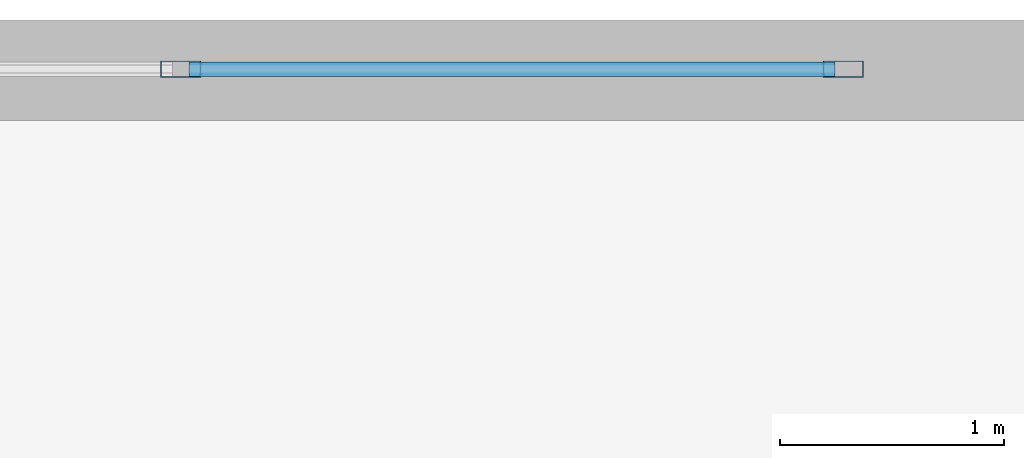
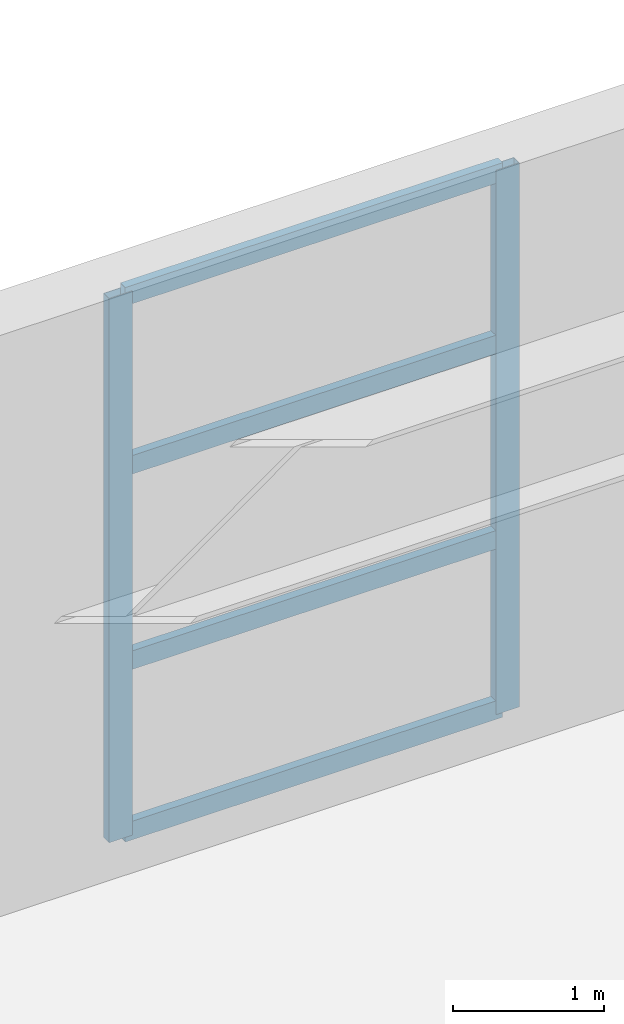
# One storey, part 20 of 35: 6 members, 1 element without a shape of its own.
"""IFC4 building model written with IfcOpenShell, lengths in metres."""

from ifc_helpers import new_model, si_unit, direction, frame, origin, origin_2d, place, context, subcontext, project, spatial, hollow_rectangle, extrude, material, layer, layer_set, material_profile, profile_set, type_object, element, aggregate, save


model = new_model("IFC4")

# Units and contexts
model_context = context("Model", 3, precision=1e-05, world=origin(), true_north=direction((0.0, 1.0)))
body_context = subcontext(model_context, "Body", "Model", "MODEL_VIEW")
ifc_project = project(units=[si_unit("LENGTHUNIT", "METRE"), si_unit("AREAUNIT", "SQUARE_METRE"), si_unit("VOLUMEUNIT", "CUBIC_METRE"), si_unit("PLANEANGLEUNIT", "RADIAN"), si_unit("MASSUNIT", "GRAM", prefix="KILO")], contexts=[model_context])

# Site, building, storey
site_placement = place(None, origin())
site = spatial("IfcSite", under=ifc_project, at=site_placement, CompositionType="ELEMENT")
building_placement = place(site_placement, origin())
building = spatial("IfcBuilding", under=site, at=building_placement, Name="Qiaolan Cultural Towers", CompositionType="ELEMENT")
storey_placement = place(building_placement, frame((0.0, 0.0, 11.5)))
storey = spatial("IfcBuildingStorey", under=building, at=storey_placement, Name="L02", CompositionType="ELEMENT", Elevation=11.5)

# Curtain wall, members
ifc_material_1 = material(Name="Unitized Anodized Aluminium Curtain Wall System", Category="aluminium")
ifc_layer = layer(ifc_material_1, 0.199951171875)
ifc_layer_set = layer_set([ifc_layer], Name="Unitized Anodized Aluminium Curtain Wall System")
curtain_wall_type = type_object("IfcCurtainWallType", Name="CWS-01", PredefinedType="NOTDEFINED", material=ifc_layer_set)
curtain_wall_placement = place(storey_placement, origin())
curtain_wall = element("IfcCurtainWall", 1, at=curtain_wall_placement, inside=storey, type_object=curtain_wall_type, Name="L02 North Atrium Curtain Wall", PredefinedType="NOTDEFINED")
ifc_material_2 = material(Name="Extruded Aluminium 6063-T6", Category="aluminium")
ifc_material_profile_1 = material_profile(ifc_material_2, hollow_rectangle(XDim=0.074951171875, YDim=0.179931640625, WallThickness=0.00390625, at=origin_2d()), Name="CWM-180x75x4")
ifc_profile_set_1 = profile_set([ifc_material_profile_1], Name="Extruded Aluminium 6063-T6")
member_type_1 = type_object("IfcMemberType", Name="CWS-01-MUL", PredefinedType="MULLION", material=ifc_profile_set_1)
member_1_placement = place(storey_placement, frame((59.0, 67.780029296875, 0.14990234375), z_axis=(0.0, 0.0, 1.0), x_axis=(0.0, 1.0, 0.0)))
member_1 = element("IfcMember", 2, at=member_1_placement, type_object=member_type_1, Name="CW-1 mullion 4", PredefinedType="MULLION", context=body_context, shape_type="SweptSolid", body=[
    extrude(hollow_rectangle(XDim=0.074951171875, YDim=0.179931640625, WallThickness=0.00390625, at=origin_2d()), origin(), (0.0, 0.0, 1.0), 4.400146484375),
])
member_2_placement = place(storey_placement, frame((61.96240234375, 67.780029296875, 0.14990234375), z_axis=(0.0, 0.0, 1.0), x_axis=(0.0, 1.0, 0.0)))
member_2 = element("IfcMember", 3, at=member_2_placement, type_object=member_type_1, Name="CW-1 mullion 5", PredefinedType="MULLION", context=body_context, shape_type="SweptSolid", body=[
    extrude(hollow_rectangle(XDim=0.074951171875, YDim=0.179931640625, WallThickness=0.00390625, at=origin_2d()), origin(), (0.0, 0.0, 1.0), 4.400146484375),
])
ifc_material_3 = material(Name="Extruded Aluminium 6063-T6", Category="aluminium")
ifc_material_profile_2 = material_profile(ifc_material_3, hollow_rectangle(XDim=0.06494140625, YDim=0.14990234375, WallThickness=0.00390625, at=origin_2d()), Name="CWT-150x65x4")
ifc_profile_set_2 = profile_set([ifc_material_profile_2], Name="Extruded Aluminium 6063-T6")
member_type_2 = type_object("IfcMemberType", Name="CWS-01-TRN", PredefinedType="USERDEFINED", material=ifc_profile_set_2)
member_3_placement = place(storey_placement, frame((59.03759765625, 67.780029296875, 0.1826171875), z_axis=(1.0, 0.0, 0.0), x_axis=(0.0, 1.0, 0.0)))
member_3 = element("IfcMember", 4, at=member_3_placement, type_object=member_type_2, Name="CW-1 transom 4.1", ObjectType="TRANSOM", PredefinedType="USERDEFINED", context=body_context, shape_type="SweptSolid", body=[
    extrude(hollow_rectangle(XDim=0.06494140625, YDim=0.14990234375, WallThickness=0.00390625, at=origin_2d()), origin(), (0.0, 0.0, 1.0), 2.887451171875),
])
member_4_placement = place(storey_placement, frame((59.03759765625, 67.780029296875, 1.56005859375), z_axis=(1.0, 0.0, 0.0), x_axis=(0.0, 1.0, 0.0)))
member_4 = element("IfcMember", 5, at=member_4_placement, type_object=member_type_2, Name="CW-1 transom 4.2", ObjectType="TRANSOM", PredefinedType="USERDEFINED", context=body_context, shape_type="SweptSolid", body=[
    extrude(hollow_rectangle(XDim=0.06494140625, YDim=0.14990234375, WallThickness=0.00390625, at=origin_2d()), origin(), (0.0, 0.0, 1.0), 2.887451171875),
])
member_5_placement = place(storey_placement, frame((59.03759765625, 67.780029296875, 3.139892578125), z_axis=(1.0, 0.0, 0.0), x_axis=(0.0, 1.0, 0.0)))
member_5 = element("IfcMember", 6, at=member_5_placement, type_object=member_type_2, Name="CW-1 transom 4.3", ObjectType="TRANSOM", PredefinedType="USERDEFINED", context=body_context, shape_type="SweptSolid", body=[
    extrude(hollow_rectangle(XDim=0.06494140625, YDim=0.14990234375, WallThickness=0.00390625, at=origin_2d()), origin(), (0.0, 0.0, 1.0), 2.887451171875),
])
member_6_placement = place(storey_placement, frame((59.03759765625, 67.780029296875, 4.517578125), z_axis=(1.0, 0.0, 0.0), x_axis=(0.0, 1.0, 0.0)))
member_6 = element("IfcMember", 7, at=member_6_placement, type_object=member_type_2, Name="CW-1 transom 4.4", ObjectType="TRANSOM", PredefinedType="USERDEFINED", context=body_context, shape_type="SweptSolid", body=[
    extrude(hollow_rectangle(XDim=0.06494140625, YDim=0.14990234375, WallThickness=0.00390625, at=origin_2d()), origin(), (0.0, 0.0, 1.0), 2.887451171875),
])
aggregate(curtain_wall, [member_1, member_2, member_3, member_4, member_5, member_6])

save(model, "model.ifc")
